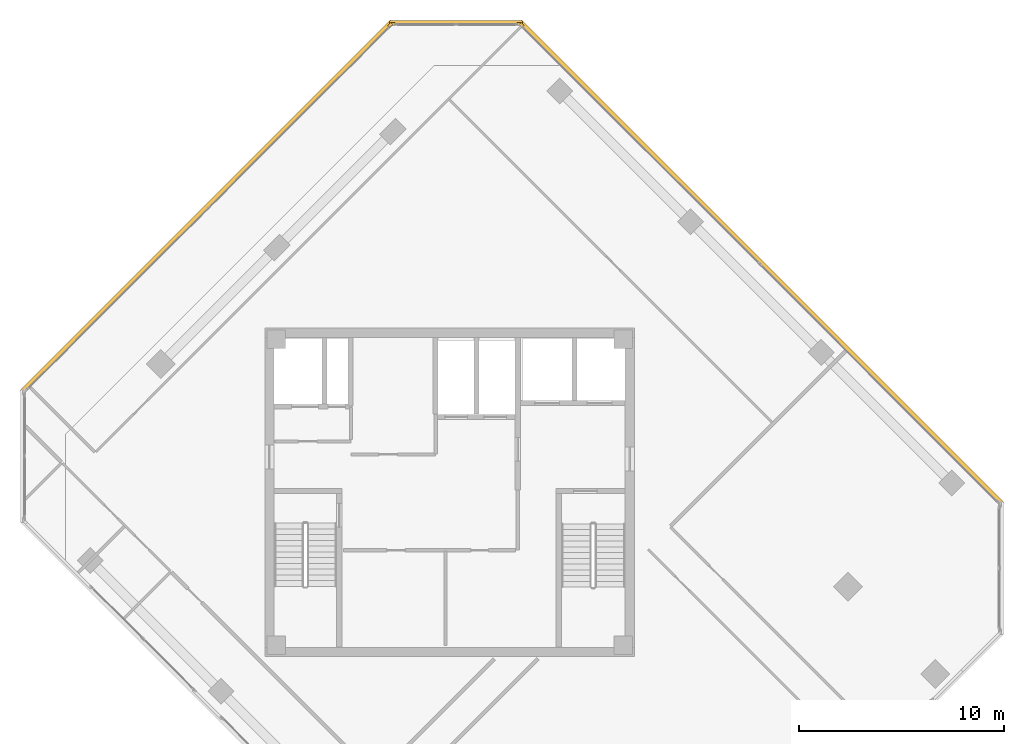
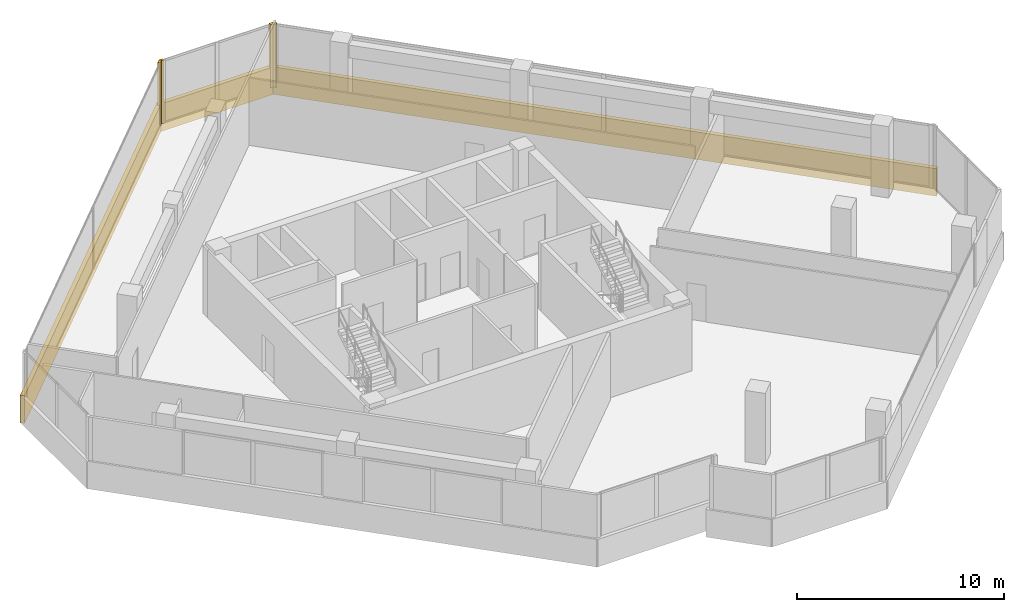
# One storey, part 18 of 18: 7 coverings.
"""IFC4 building model written with IfcOpenShell, lengths in metres."""

from ifc_helpers import new_model, si_unit, direction, frame, origin, origin_2d, place, context, subcontext, project, spatial, rectangle, extrude, source, transform, mapped, material, layer, layer_set, type_object, element, save


model = new_model("IFC4")

# Units and contexts
model_context = context("Model", 3, precision=1e-05, world=origin(), true_north=direction((0.0, 1.0)))
body_context = subcontext(model_context, "Body", "Model", "MODEL_VIEW")
ifc_project = project(units=[si_unit("LENGTHUNIT", "METRE"), si_unit("AREAUNIT", "SQUARE_METRE"), si_unit("VOLUMEUNIT", "CUBIC_METRE"), si_unit("PLANEANGLEUNIT", "RADIAN"), si_unit("MASSUNIT", "GRAM", prefix="KILO")], contexts=[model_context])

# Site, building, storey
site_placement = place(None, origin())
site = spatial("IfcSite", under=ifc_project, at=site_placement, CompositionType="ELEMENT")
building_placement = place(site_placement, origin())
building = spatial("IfcBuilding", under=site, at=building_placement, Name="Torre Montelarca", CompositionType="ELEMENT")
storey_placement = place(building_placement, frame((0.0, 0.0, 245.800048828125)))
storey = spatial("IfcBuildingStorey", under=building, at=storey_placement, Name="L55", CompositionType="ELEMENT", Elevation=245.800048828125)

# Coverings
ifc_material = material(Name="Bush-hammered warm white precast concrete C45/55", Category="concrete")
ifc_layer = layer(ifc_material, 0.139892578125, Name="Bush-hammered warm white precast concrete C45/55", Category="concrete")
ifc_layer_set = layer_set([ifc_layer], Name="Bush-hammered warm white precast concrete C45/55")
covering_type = type_object("IfcCoveringType", Name="COV-TRAY-CLAD", PredefinedType="CLADDING", material=ifc_layer_set)
shared_shape_1 = source(origin(), body_context, "Body", "SweptSolid", [
    extrude(rectangle(XDim=6.48388671875, YDim=0.219970703125, at=origin_2d()), origin(), (0.0, 0.0, 1.0), 1.6201171875),
])
covering_1_placement = place(storey_placement, frame((18.318115234375, 54.88037109375, -0.4501953125), z_axis=(0.0, 0.0, 1.0), x_axis=(-1.0, 0.0, 0.0)))
element("IfcCovering", 1, at=covering_1_placement, inside=storey, type_object=covering_type, Name="L55 Architectural White Spandrel Tray Band TRYBOT-09", PredefinedType="CLADDING", context=body_context, shape_type="MappedRepresentation", body=[
    mapped(shared_shape_1, transform((0.0, 0.0, 0.0), scale=1.0)),
])
shared_shape_2 = source(origin(), body_context, "Body", "SweptSolid", [
    extrude(rectangle(XDim=25.52001953125, YDim=0.219970703125, at=origin_2d()), origin(), (0.0, 0.0, 1.0), 1.6201171875),
])
covering_2_placement = place(storey_placement, frame((6.177001953125, 45.90869140625, -0.4501953125), z_axis=(0.0, 0.0, 1.0), x_axis=(-0.707104312914, -0.707109249451, 0.0)))
element("IfcCovering", 2, at=covering_2_placement, inside=storey, type_object=covering_type, Name="L55 Architectural White Spandrel Tray Band TRYBOT-10", PredefinedType="CLADDING", context=body_context, shape_type="MappedRepresentation", body=[
    mapped(shared_shape_2, transform((0.0, 0.0, 0.0), scale=1.0)),
])
shared_shape_3 = source(origin(), body_context, "Body", "SweptSolid", [
    extrude(rectangle(XDim=0.199951171875, YDim=0.139892578125, at=origin_2d()), origin(), (0.0, 0.0, 1.0), 3.719970703125),
])
for number, where, z_axis, x_axis, name in (
    (3, (21.518310546875, 54.7646484375, 0.0), (0.0, 0.0, 1.0), (-0.707105547051, 0.70710801532, 0.0), "L55 Architectural Column Pier Cladding E08-2"),
    (4, (21.38427734375, 54.8203125, 0.0), (0.0, 0.0, 1.0), (-1.0, 0.0, 0.0), "L55 Architectural Column Pier Cladding E09-1"),
    (5, (15.251708984375, 54.8203125, 0.0), (0.0, 0.0, 1.0), (-1.0, 0.0, 0.0), "L55 Architectural Column Pier Cladding E09-2"),
    (6, (15.11767578125, 54.7646484375, 0.0), (0.0, 0.0, 1.0), (-0.707104312914, -0.707109249451, 0.0), "L55 Architectural Column Pier Cladding E10-1"),
):
    element("IfcCovering", number, at=place(storey_placement, frame(where, z_axis=z_axis, x_axis=x_axis)), inside=storey, type_object=covering_type, Name=name, PredefinedType="CLADDING", context=body_context, shape_type="MappedRepresentation", body=[
        mapped(shared_shape_3, transform((0.0, 0.0, 0.0), scale=1.0)),
    ])
shared_shape_4 = source(origin(), body_context, "Body", "SweptSolid", [
    extrude(rectangle(XDim=33.219970703125, YDim=0.219970703125, at=origin_2d()), origin(), (0.0, 0.0, 1.0), 1.6201171875),
])
covering_3_placement = place(storey_placement, frame((33.181396484375, 43.186279296875, -0.4501953125), z_axis=(0.0, 0.0, 1.0), x_axis=(-0.707105547051, 0.70710801532, 0.0)))
element("IfcCovering", 7, at=covering_3_placement, inside=storey, type_object=covering_type, Name="L55 Architectural White Spandrel Tray Band TRYBOT-08", PredefinedType="CLADDING", context=body_context, shape_type="MappedRepresentation", body=[
    mapped(shared_shape_4, transform((0.0, 0.0, 0.0), scale=1.0)),
])

save(model, "model.ifc")
